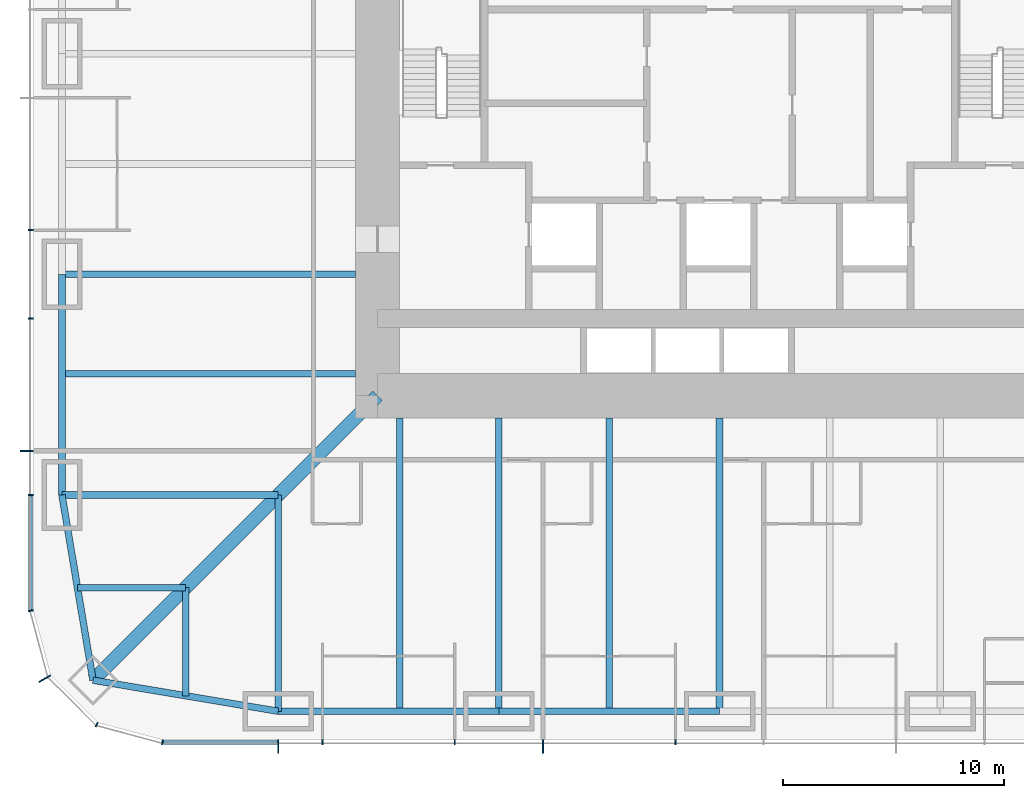
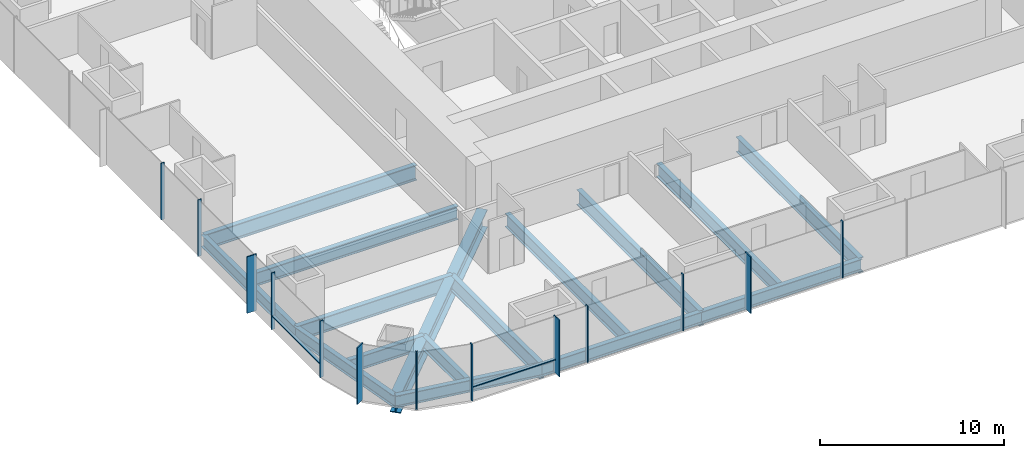
# One storey, part 2 of 16: 16 beams, 15 members, 3 elements without a shape of their own.
"""IFC4 building model written with IfcOpenShell, lengths in metres."""

from ifc_helpers import new_model, si_unit, direction, frame, origin, origin_2d, place, context, subcontext, project, spatial, rectangle, i_section, extrude, material, material_profile, profile_set, type_object, element, aggregate, save


model = new_model("IFC4")

# Units and contexts
model_context = context("Model", 3, precision=1e-05, world=origin(), true_north=direction((0.0, 1.0)))
body_context = subcontext(model_context, "Body", "Model", "MODEL_VIEW")
ifc_project = project(units=[si_unit("LENGTHUNIT", "METRE"), si_unit("AREAUNIT", "SQUARE_METRE"), si_unit("VOLUMEUNIT", "CUBIC_METRE"), si_unit("PLANEANGLEUNIT", "RADIAN"), si_unit("MASSUNIT", "GRAM", prefix="KILO")], contexts=[model_context])

# Site, building, storey
site_placement = place(None, origin())
site = spatial("IfcSite", under=ifc_project, at=site_placement, CompositionType="ELEMENT")
building_placement = place(site_placement, origin())
building = spatial("IfcBuilding", under=site, at=building_placement, Name="Khuree Lantern Residences", CompositionType="ELEMENT")
storey_placement = place(building_placement, frame((0.0, 0.0, 81.0)))
storey = spatial("IfcBuildingStorey", under=building, at=storey_placement, Name="L20", CompositionType="ELEMENT", Elevation=81.0)

# Beams
ifc_material_1 = material(Name="Steel S355", Category="steel")
ifc_material_profile_1 = material_profile(ifc_material_1, i_section(OverallWidth=0.300048828125, OverallDepth=0.889892578125, WebThickness=0.01611328125, FlangeThickness=0.030029296875, FilletRadius=0.030029296875, at=origin_2d()), Name="HE 900 A")
ifc_profile_set_1 = profile_set([ifc_material_profile_1], Name="Steel S355")
beam_type_1 = type_object("IfcBeamType", Name="B-14 SECONDARY BEAM HE 900 A", PredefinedType="BEAM", material=ifc_profile_set_1)
for number, where, z_axis, x_axis, name in (
    (1, (-5.0, -29.800048828125, -0.695068359375), (0.0, 1.0, 0.0), (-1.0, 0.0, 0.0), "Secondary beam S4"),
    (2, (-14.5, -29.800048828125, -0.695068359375), (0.0, 1.0, 0.0), (-1.0, 0.0, 0.0), "Secondary beam S5"),
):
    element("IfcBeam", number, at=place(storey_placement, frame(where, z_axis=z_axis, x_axis=x_axis)), inside=storey, type_object=beam_type_1, Name=name, PredefinedType="BEAM", context=body_context, shape_type="SweptSolid", body=[
        extrude(i_section(OverallWidth=0.300048828125, OverallDepth=0.889892578125, WebThickness=0.01611328125, FlangeThickness=0.030029296875, FilletRadius=0.030029296875, at=origin_2d()), origin(), (0.0, 0.0, 1.0), 13.300048828125),
    ])
for number, where, z_axis, x_axis, name in (
    (3, (-24.197021484375, -29.09716796875, -0.695068359375), (0.0, 1.0, 0.0), (-1.0, 0.0, 0.0), "Secondary beam S6"),
    (4, (-29.09716796875, -24.197021484375, -0.695068359375), (1.0, 0.0, 0.0), (0.0, 1.0, 0.0), "Secondary beam W1"),
):
    element("IfcBeam", number, at=place(storey_placement, frame(where, z_axis=z_axis, x_axis=x_axis)), inside=storey, type_object=beam_type_1, Name=name, PredefinedType="BEAM", context=body_context, shape_type="SweptSolid", body=[
        extrude(i_section(OverallWidth=0.300048828125, OverallDepth=0.889892578125, WebThickness=0.01611328125, FlangeThickness=0.030029296875, FilletRadius=0.030029296875, at=origin_2d()), origin(), (0.0, 0.0, 1.0), 4.900146484375),
    ])
beam_1_placement = place(storey_placement, frame((-29.800048828125, -14.5, -0.695068359375), z_axis=(1.0, 0.0, 0.0), x_axis=(0.0, 1.0, 0.0)))
element("IfcBeam", 5, at=beam_1_placement, inside=storey, type_object=beam_type_1, Name="Secondary beam W2", PredefinedType="BEAM", context=body_context, shape_type="SweptSolid", body=[
    extrude(i_section(OverallWidth=0.300048828125, OverallDepth=0.889892578125, WebThickness=0.01611328125, FlangeThickness=0.030029296875, FilletRadius=0.030029296875, at=origin_2d()), origin(), (0.0, 0.0, 1.0), 13.300048828125),
])
ifc_material_profile_2 = material_profile(ifc_material_1, i_section(OverallWidth=0.300048828125, OverallDepth=0.7900390625, WebThickness=0.014892578125, FlangeThickness=0.028076171875, FilletRadius=0.030029296875, at=origin_2d()), Name="HE 800 A")
ifc_profile_set_2 = profile_set([ifc_material_profile_2], Name="Steel S355")
beam_type_2 = type_object("IfcBeamType", Name="E-14 SPANDREL BEAM HE 800 A", PredefinedType="SPANDREL", material=ifc_profile_set_2)
for number, where, z_axis, x_axis, name in (
    (6, (0.0, -29.800048828125, -0.64501953125), (-1.0, 0.0, 0.0), (0.0, -1.0, 0.0), "Spandrel beam S4"),
    (7, (-10.0, -29.800048828125, -0.64501953125), (-1.0, 0.0, 0.0), (0.0, -1.0, 0.0), "Spandrel beam S5"),
):
    element("IfcBeam", number, at=place(storey_placement, frame(where, z_axis=z_axis, x_axis=x_axis)), inside=storey, type_object=beam_type_2, Name=name, PredefinedType="SPANDREL", context=body_context, shape_type="SweptSolid", body=[
        extrude(i_section(OverallWidth=0.300048828125, OverallDepth=0.7900390625, WebThickness=0.014892578125, FlangeThickness=0.028076171875, FilletRadius=0.030029296875, at=origin_2d()), origin(), (0.0, 0.0, 1.0), 10.0),
    ])
for number, where, z_axis, x_axis, name in (
    (8, (-20.0, -29.800048828125, -0.64501953125), (-0.986260251158, 0.165199022349, 0.0), (-0.165199022349, -0.986260251158, 0.0), "Spandrel beam S6"),
    (9, (-28.39404296875, -28.39404296875, -0.64501953125), (-0.165199022349, 0.986260251158, 0.0), (-0.986260251158, -0.165199022349, 0.0), "Spandrel beam W1"),
):
    element("IfcBeam", number, at=place(storey_placement, frame(where, z_axis=z_axis, x_axis=x_axis)), inside=storey, type_object=beam_type_2, Name=name, PredefinedType="SPANDREL", context=body_context, shape_type="SweptSolid", body=[
        extrude(i_section(OverallWidth=0.300048828125, OverallDepth=0.7900390625, WebThickness=0.014892578125, FlangeThickness=0.028076171875, FilletRadius=0.030029296875, at=origin_2d()), origin(), (0.0, 0.0, 1.0), 8.510986328125),
    ])
beam_2_placement = place(storey_placement, frame((-29.800048828125, -20.0, -0.64501953125), z_axis=(0.0, 1.0, 0.0), x_axis=(-1.0, 0.0, 0.0)))
element("IfcBeam", 10, at=beam_2_placement, inside=storey, type_object=beam_type_2, Name="Spandrel beam W2", PredefinedType="SPANDREL", context=body_context, shape_type="SweptSolid", body=[
    extrude(i_section(OverallWidth=0.300048828125, OverallDepth=0.7900390625, WebThickness=0.014892578125, FlangeThickness=0.028076171875, FilletRadius=0.030029296875, at=origin_2d()), origin(), (0.0, 0.0, 1.0), 10.0),
])

# Curtain wall, member
ifc_material_2 = material(Name="Bronze anodised aluminium", Category="aluminium")
curtain_wall_type_1 = type_object("IfcCurtainWallType", Name="CW-T1 TOWER FACE CURTAIN WALL", PredefinedType="USERDEFINED", material=ifc_material_2)
curtain_wall_1_placement = place(storey_placement, origin())
curtain_wall_1 = element("IfcCurtainWall", 11, at=curtain_wall_1_placement, inside=storey, type_object=curtain_wall_type_1, Name="L20 WEST FACE CURTAIN WALL", ObjectType="Stick-built curtain wall", PredefinedType="USERDEFINED")
ifc_material_profile_3 = material_profile(ifc_material_2, rectangle(XDim=0.06494140625, YDim=0.60009765625, at=origin_2d()), Name="F1 65X600")
ifc_profile_set_3 = profile_set([ifc_material_profile_3], Name="Bronze anodised aluminium")
member_type_1 = type_object("IfcMemberType", Name="F1 BRONZE FIN MULLION TOWER 65X600", PredefinedType="MULLION", material=ifc_profile_set_3)
member_1_placement = place(storey_placement, frame((-31.39990234375, -18.0, 0.0), z_axis=(0.0, 0.0, 1.0), x_axis=(0.0, -1.0, 0.0)))
member_1 = element("IfcMember", 12, at=member_1_placement, type_object=member_type_1, Name="L20 WEST FACE FIN MULLION 41", PredefinedType="MULLION", context=body_context, shape_type="SweptSolid", body=[
    extrude(rectangle(XDim=0.06494140625, YDim=0.60009765625, at=origin_2d()), origin(), (0.0, 0.0, 1.0), 3.75),
])

curtain_wall_type_2 = type_object("IfcCurtainWallType", Name="CW-T2 TOWER CORNER CURTAIN WALL", PredefinedType="USERDEFINED", material=ifc_material_2)
curtain_wall_2_placement = place(storey_placement, origin())
curtain_wall_2 = element("IfcCurtainWall", 13, at=curtain_wall_2_placement, inside=storey, type_object=curtain_wall_type_2, Name="L20 SOUTH-WEST CORNER CURTAIN WALL", ObjectType="Faceted corner curtain wall", PredefinedType="USERDEFINED")
member_2_placement = place(storey_placement, frame((-30.576171875, -28.324951171875, 0.0), z_axis=(0.0, 0.0, 1.0), x_axis=(0.500000056923, -0.86602537092, 0.0)))
member_2 = element("IfcMember", 14, at=member_2_placement, type_object=member_type_1, Name="L20 SOUTH-WEST CORNER FIN MULLION 44", PredefinedType="MULLION", context=body_context, shape_type="SweptSolid", body=[
    extrude(rectangle(XDim=0.06494140625, YDim=0.60009765625, at=origin_2d()), origin(), (0.0, 0.0, 1.0), 3.75),
])

# Curtain wall, members
curtain_wall_3_placement = place(storey_placement, origin())
curtain_wall_3 = element("IfcCurtainWall", 15, at=curtain_wall_3_placement, inside=storey, type_object=curtain_wall_type_1, Name="L20 SOUTH FACE CURTAIN WALL", ObjectType="Stick-built curtain wall", PredefinedType="USERDEFINED")
member_3_placement = place(storey_placement, frame((-20.0, -31.39990234375, 0.0), z_axis=(0.0, 0.0, 1.0), x_axis=(1.0, 0.0, 0.0)))
member_3 = element("IfcMember", 16, at=member_3_placement, type_object=member_type_1, Name="L20 SOUTH FACE FIN MULLION 47", PredefinedType="MULLION", context=body_context, shape_type="SweptSolid", body=[
    extrude(rectangle(XDim=0.06494140625, YDim=0.60009765625, at=origin_2d()), origin(), (0.0, 0.0, 1.0), 3.75),
])
member_4_placement = place(storey_placement, frame((-8.0, -31.39990234375, 0.0), z_axis=(0.0, 0.0, 1.0), x_axis=(1.0, 0.0, 0.0)))
member_4 = element("IfcMember", 17, at=member_4_placement, type_object=member_type_1, Name="L20 SOUTH FACE FIN MULLION 50", PredefinedType="MULLION", context=body_context, shape_type="SweptSolid", body=[
    extrude(rectangle(XDim=0.06494140625, YDim=0.60009765625, at=origin_2d()), origin(), (0.0, 0.0, 1.0), 3.75),
])

# Beams
ifc_material_profile_4 = material_profile(ifc_material_1, i_section(OverallWidth=0.302001953125, OverallDepth=1.008056640625, WebThickness=0.02099609375, FlangeThickness=0.0400390625, FilletRadius=0.030029296875, at=origin_2d()), Name="HE 1000 M")
ifc_profile_set_4 = profile_set([ifc_material_profile_4], Name="Steel S355")
beam_type_3 = type_object("IfcBeamType", Name="G-14 GIRDER HE 1000 M", PredefinedType="BEAM", material=ifc_profile_set_4)
for number, where, z_axis, x_axis, name in (
    (18, (0.0, -29.800048828125, -0.75390625), (0.0, 1.0, 0.0), (-1.0, 0.0, 0.0), "Girder S3"),
    (19, (-10.0, -29.800048828125, -0.75390625), (0.0, 1.0, 0.0), (-1.0, 0.0, 0.0), "Girder S4"),
):
    element("IfcBeam", number, at=place(storey_placement, frame(where, z_axis=z_axis, x_axis=x_axis)), inside=storey, type_object=beam_type_3, Name=name, PredefinedType="BEAM", context=body_context, shape_type="SweptSolid", body=[
        extrude(i_section(OverallWidth=0.302001953125, OverallDepth=1.008056640625, WebThickness=0.02099609375, FlangeThickness=0.0400390625, FilletRadius=0.030029296875, at=origin_2d()), origin(), (0.0, 0.0, 1.0), 13.300048828125),
    ])
for number, where, z_axis, x_axis, name in (
    (20, (-20.0, -29.800048828125, -0.75390625), (0.0, 1.0, 0.0), (-1.0, 0.0, 0.0), "Girder S5"),
    (21, (-29.800048828125, -20.0, -0.75390625), (1.0, 0.0, 0.0), (0.0, 1.0, 0.0), "Girder W1"),
):
    element("IfcBeam", number, at=place(storey_placement, frame(where, z_axis=z_axis, x_axis=x_axis)), inside=storey, type_object=beam_type_3, Name=name, PredefinedType="BEAM", context=body_context, shape_type="SweptSolid", body=[
        extrude(i_section(OverallWidth=0.302001953125, OverallDepth=1.008056640625, WebThickness=0.02099609375, FlangeThickness=0.0400390625, FilletRadius=0.030029296875, at=origin_2d()), origin(), (0.0, 0.0, 1.0), 9.800048828125),
    ])
beam_3_placement = place(storey_placement, frame((-29.800048828125, -10.0, -0.75390625), z_axis=(1.0, 0.0, 0.0), x_axis=(0.0, 1.0, 0.0)))
element("IfcBeam", 22, at=beam_3_placement, inside=storey, type_object=beam_type_3, Name="Girder W2", PredefinedType="BEAM", context=body_context, shape_type="SweptSolid", body=[
    extrude(i_section(OverallWidth=0.302001953125, OverallDepth=1.008056640625, WebThickness=0.02099609375, FlangeThickness=0.0400390625, FilletRadius=0.030029296875, at=origin_2d()), origin(), (0.0, 0.0, 1.0), 13.300048828125),
])
ifc_material_profile_5 = material_profile(ifc_material_1, i_section(OverallWidth=0.60009765625, OverallDepth=1.199951171875, WebThickness=0.030029296875, FlangeThickness=0.06005859375, at=origin_2d()), Name="WELDED I 1200X600X30X60")
ifc_profile_set_5 = profile_set([ifc_material_profile_5], Name="Steel S355")
beam_type_4 = type_object("IfcBeamType", Name="GD-14 CORNER GIRDER WELDED I 1200X600X30X60", PredefinedType="BEAM", material=ifc_profile_set_5)
beam_4_placement = place(storey_placement, frame((-28.39404296875, -28.39404296875, -0.85009765625), z_axis=(0.707106781187, 0.707106781187, 0.0), x_axis=(-0.707106781187, 0.707106781187, 0.0)))
element("IfcBeam", 23, at=beam_4_placement, inside=storey, type_object=beam_type_4, Name="Corner girder SW", PredefinedType="BEAM", context=body_context, shape_type="SweptSolid", body=[
    extrude(i_section(OverallWidth=0.60009765625, OverallDepth=1.199951171875, WebThickness=0.030029296875, FlangeThickness=0.06005859375, at=origin_2d()), origin(), (0.0, 0.0, 1.0), 18.23486328125),
])

# Member
ifc_material_profile_6 = material_profile(ifc_material_2, rectangle(XDim=0.06494140625, YDim=0.219970703125, at=origin_2d()), Name="M1 65X220")
ifc_profile_set_6 = profile_set([ifc_material_profile_6], Name="Bronze anodised aluminium")
member_type_2 = type_object("IfcMemberType", Name="M1 BRONZE MULLION TOWER 65X220", PredefinedType="MULLION", material=ifc_profile_set_6)
member_5_placement = place(storey_placement, frame((-31.2099609375, -8.0, 0.0), z_axis=(0.0, 0.0, 1.0), x_axis=(0.0, -1.0, 0.0)))
member_5 = element("IfcMember", 24, at=member_5_placement, type_object=member_type_2, Name="L20 WEST FACE MULLION 39", PredefinedType="MULLION", context=body_context, shape_type="SweptSolid", body=[
    extrude(rectangle(XDim=0.06494140625, YDim=0.219970703125, at=origin_2d()), origin(), (0.0, 0.0, 1.0), 3.75),
])

member_6_placement = place(storey_placement, frame((-31.2099609375, -12.0, 0.0), z_axis=(0.0, 0.0, 1.0), x_axis=(0.0, -1.0, 0.0)))
member_6 = element("IfcMember", 25, at=member_6_placement, type_object=member_type_2, Name="L20 WEST FACE MULLION 40", PredefinedType="MULLION", context=body_context, shape_type="SweptSolid", body=[
    extrude(rectangle(XDim=0.06494140625, YDim=0.219970703125, at=origin_2d()), origin(), (0.0, 0.0, 1.0), 3.75),
])

member_7_placement = place(storey_placement, frame((-31.2099609375, -20.0, 0.0), z_axis=(0.0, 0.0, 1.0), x_axis=(0.0, -1.0, 0.0)))
member_7 = element("IfcMember", 26, at=member_7_placement, type_object=member_type_2, Name="L20 WEST FACE MULLION 42", PredefinedType="MULLION", context=body_context, shape_type="SweptSolid", body=[
    extrude(rectangle(XDim=0.06494140625, YDim=0.219970703125, at=origin_2d()), origin(), (0.0, 0.0, 1.0), 3.75),
])

member_8_placement = place(storey_placement, frame((-31.211669921875, -25.244873046875, 0.0), z_axis=(0.0, 0.0, 1.0), x_axis=(0.130526257387, -0.991444852794, 0.0)))
member_8 = element("IfcMember", 27, at=member_8_placement, type_object=member_type_2, Name="L20 SOUTH-WEST CORNER MULLION 43", PredefinedType="MULLION", context=body_context, shape_type="SweptSolid", body=[
    extrude(rectangle(XDim=0.06494140625, YDim=0.219970703125, at=origin_2d()), origin(), (0.0, 0.0, 1.0), 3.75),
])

member_9_placement = place(storey_placement, frame((-28.22998046875, -30.41162109375, 0.0), z_axis=(0.0, 0.0, 1.0), x_axis=(0.86602537092, -0.500000056923, 0.0)))
member_9 = element("IfcMember", 28, at=member_9_placement, type_object=member_type_2, Name="L20 SOUTH-WEST CORNER MULLION 45", PredefinedType="MULLION", context=body_context, shape_type="SweptSolid", body=[
    extrude(rectangle(XDim=0.06494140625, YDim=0.219970703125, at=origin_2d()), origin(), (0.0, 0.0, 1.0), 3.75),
])

aggregate(curtain_wall_2, [member_8, member_2, member_9])

member_10_placement = place(storey_placement, frame((-25.244873046875, -31.211669921875, 0.0), z_axis=(0.0, 0.0, 1.0), x_axis=(0.991444852794, -0.130526257387, 0.0)))
member_10 = element("IfcMember", 29, at=member_10_placement, type_object=member_type_2, Name="L20 SOUTH FACE MULLION 46", PredefinedType="MULLION", context=body_context, shape_type="SweptSolid", body=[
    extrude(rectangle(XDim=0.06494140625, YDim=0.219970703125, at=origin_2d()), origin(), (0.0, 0.0, 1.0), 3.75),
])

member_11_placement = place(storey_placement, frame((-18.0, -31.2099609375, 0.0), z_axis=(0.0, 0.0, 1.0), x_axis=(1.0, 0.0, 0.0)))
member_11 = element("IfcMember", 30, at=member_11_placement, type_object=member_type_2, Name="L20 SOUTH FACE MULLION 48", PredefinedType="MULLION", context=body_context, shape_type="SweptSolid", body=[
    extrude(rectangle(XDim=0.06494140625, YDim=0.219970703125, at=origin_2d()), origin(), (0.0, 0.0, 1.0), 3.75),
])

member_12_placement = place(storey_placement, frame((-12.0, -31.2099609375, 0.0), z_axis=(0.0, 0.0, 1.0), x_axis=(1.0, 0.0, 0.0)))
member_12 = element("IfcMember", 31, at=member_12_placement, type_object=member_type_2, Name="L20 SOUTH FACE MULLION 49", PredefinedType="MULLION", context=body_context, shape_type="SweptSolid", body=[
    extrude(rectangle(XDim=0.06494140625, YDim=0.219970703125, at=origin_2d()), origin(), (0.0, 0.0, 1.0), 3.75),
])

member_13_placement = place(storey_placement, frame((-2.0, -31.2099609375, 0.0), z_axis=(0.0, 0.0, 1.0), x_axis=(1.0, 0.0, 0.0)))
member_13 = element("IfcMember", 32, at=member_13_placement, type_object=member_type_2, Name="L20 SOUTH FACE MULLION 51", PredefinedType="MULLION", context=body_context, shape_type="SweptSolid", body=[
    extrude(rectangle(XDim=0.06494140625, YDim=0.219970703125, at=origin_2d()), origin(), (0.0, 0.0, 1.0), 3.75),
])

ifc_material_profile_7 = material_profile(ifc_material_2, rectangle(XDim=0.179931640625, YDim=0.06494140625, at=origin_2d()), Name="T1 180X65")
ifc_profile_set_7 = profile_set([ifc_material_profile_7], Name="Bronze anodised aluminium")
member_type_3 = type_object("IfcMemberType", Name="TRANSOM T1 TOWER 180X65", PredefinedType="USERDEFINED", material=ifc_profile_set_7)
member_14_placement = place(storey_placement, frame((-31.219970703125, -20.032470703125, 0.89990234375), z_axis=(0.0, -1.0, 0.0), x_axis=(1.0, 0.0, 0.0)))
member_14 = element("IfcMember", 33, at=member_14_placement, type_object=member_type_3, Name="L20 WEST FACE TRANSOM 42.1", ObjectType="Transom", PredefinedType="USERDEFINED", context=body_context, shape_type="SweptSolid", body=[
    extrude(rectangle(XDim=0.179931640625, YDim=0.06494140625, at=origin_2d()), origin(), (0.0, 0.0, 1.0), 5.1689453125),
])

aggregate(curtain_wall_1, [member_5, member_6, member_1, member_7, member_14])

member_15_placement = place(storey_placement, frame((-25.201416015625, -31.219970703125, 0.89990234375), z_axis=(1.0, 0.0, 0.0), x_axis=(0.0, 1.0, 0.0)))
member_15 = element("IfcMember", 34, at=member_15_placement, type_object=member_type_3, Name="L20 SOUTH FACE TRANSOM 46.1", ObjectType="Transom", PredefinedType="USERDEFINED", context=body_context, shape_type="SweptSolid", body=[
    extrude(rectangle(XDim=0.179931640625, YDim=0.06494140625, at=origin_2d()), origin(), (0.0, 0.0, 1.0), 5.1689453125),
])

aggregate(curtain_wall_3, [member_10, member_3, member_11, member_12, member_4, member_13, member_15])

save(model, "model.ifc")
